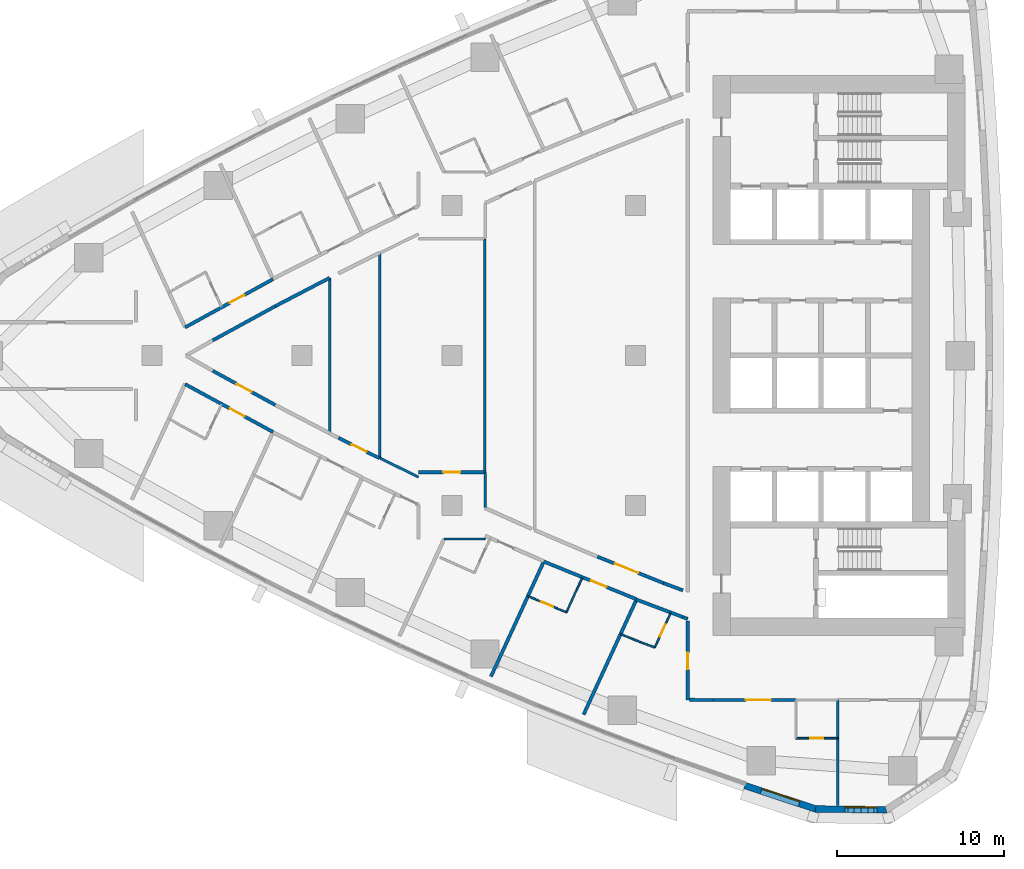
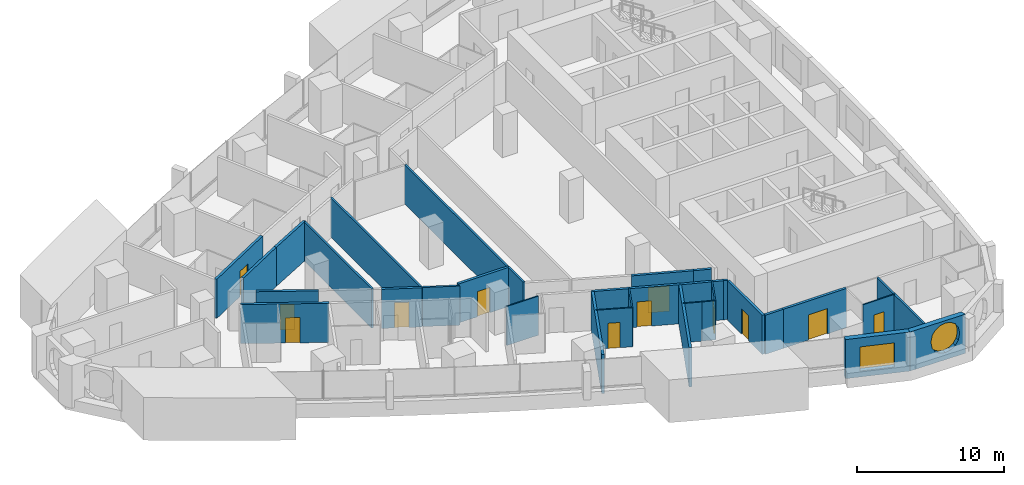
# One storey, part 9 of 17: 32 walls, 12 doors, 2 windows, 14 openings.
"""IFC4 building model written with IfcOpenShell, lengths in metres."""

from ifc_helpers import new_model, si_unit, direction, frame, frame_2d, origin, place, context, subcontext, project, spatial, polyline, rectangle, outline, extrude, material, layer, layer_set, type_object, element, fill, save


model = new_model("IFC4")

# Units and contexts
model_context = context("Model", 3, precision=1e-05, world=origin(), true_north=direction((0.0, 1.0)))
body_context = subcontext(model_context, "Body", "Model", "MODEL_VIEW")
ifc_project = project(units=[si_unit("LENGTHUNIT", "METRE"), si_unit("AREAUNIT", "SQUARE_METRE"), si_unit("VOLUMEUNIT", "CUBIC_METRE"), si_unit("PLANEANGLEUNIT", "RADIAN"), si_unit("MASSUNIT", "GRAM", prefix="KILO")], contexts=[model_context])

# Site, building, storey
site_placement = place(None, origin())
site = spatial("IfcSite", under=ifc_project, at=site_placement, CompositionType="ELEMENT")
building_placement = place(site_placement, origin())
building = spatial("IfcBuilding", under=site, at=building_placement, Name="Ostrand Prow Hotel Tower", CompositionType="ELEMENT")
storey_placement = place(building_placement, frame((0.0, 0.0, 106.199951171875)))
storey = spatial("IfcBuildingStorey", under=building, at=storey_placement, Name="L25", CompositionType="ELEMENT", Elevation=106.199951171875)

# Wall, opening, door
ifc_material_1 = material(Name="Plasterboard partition")
ifc_layer_1 = layer(ifc_material_1, 0.10009765625)
ifc_layer_set_1 = layer_set([ifc_layer_1], Name="Plasterboard partition")
wall_type_1 = type_object("IfcWallType", Name="Partition 100 bathroom wall", PredefinedType="PARTITIONING", material=ifc_layer_set_1)
wall_1_placement = place(storey_placement, frame((57.130615234375, -22.949951171875, 0.0), z_axis=(0.0, 0.0, 1.0), x_axis=(-1.0, 0.0, 0.0)))
wall_1 = element("IfcWall", 1, at=wall_1_placement, inside=storey, type_object=wall_type_1, Name="BATHROOM WALL", PredefinedType="PARTITIONING", context=body_context, shape_type="SweptSolid", body=[
    extrude(rectangle(XDim=2.5, YDim=0.10009765625, at=frame_2d((1.25, 0.0))), origin(), (0.0, 0.0, 1.0), 3.25),
])
opening_1_placement = place(wall_1_placement, frame((0.85009765625, 0.0, 0.0)))
opening_1 = element("IfcOpeningElement", 2, at=opening_1_placement, cuts=wall_1, Name="Opening D2", PredefinedType="OPENING", context=body_context, shape_type="SweptSolid", body=[
    extrude(rectangle(XDim=0.800048828125, YDim=2.10009765625, at=frame_2d((0.39990234375, 1.050048828125))), frame((0.0, 0.06005859375, 0.0), z_axis=(0.0, -1.0, 0.0), x_axis=(1.0, 0.0, 0.0)), (0.0, 0.0, 1.0), 0.1201171875),
])
ifc_material_2 = material(Name="Timber door leaf", Category="wood")
door_type_1 = type_object("IfcDoorType", Name="Bathroom door 800", OperationType="SINGLE_SWING_LEFT", PredefinedType="DOOR", material=ifc_material_2)
door_1_placement = place(opening_1_placement, origin())
door_1 = element("IfcDoor", 3, at=door_1_placement, inside=storey, type_object=door_type_1, Name="DOOR", OperationType="SINGLE_SWING_LEFT", OverallHeight=2.10009765625, OverallWidth=0.800048828125, PredefinedType="DOOR", context=body_context, shape_type="SweptSolid", body=[
    extrude(rectangle(XDim=0.800048828125, YDim=2.10009765625, at=frame_2d((0.39990234375, 1.050048828125))), frame((0.0, 0.02490234375, 0.0), z_axis=(0.0, -1.0, 0.0), x_axis=(1.0, 0.0, 0.0)), (0.0, 0.0, 1.0), 0.050048828125),
])
fill(opening_1, door_1)

# Wall
wall_2_placement = place(storey_placement, frame((41.816162109375, -13.32958984375, 0.0), z_axis=(0.0, 0.0, 1.0), x_axis=(-0.417433204355, -0.908707609686, 0.0)))
element("IfcWall", 4, at=wall_2_placement, inside=storey, type_object=wall_type_1, Name="BATHROOM WALL", PredefinedType="PARTITIONING", context=body_context, shape_type="SweptSolid", body=[
    extrude(rectangle(XDim=2.278076171875, YDim=0.10009765625, at=frame_2d((1.13916015625, 0.0))), origin(), (0.0, 0.0, 1.0), 3.25),
])

# Wall, opening, door
wall_3_placement = place(storey_placement, frame((40.865234375, -15.399658203125, 0.0), z_axis=(0.0, 0.0, 1.0), x_axis=(-0.921042675983, 0.38946166566, 0.0)))
wall_3 = element("IfcWall", 5, at=wall_3_placement, inside=storey, type_object=wall_type_1, Name="BATHROOM WALL", PredefinedType="PARTITIONING", context=body_context, shape_type="SweptSolid", body=[
    extrude(rectangle(XDim=2.501220703125, YDim=0.10009765625, at=frame_2d((1.25048828125, 0.0))), origin(), (0.0, 0.0, 1.0), 3.25),
])
opening_2_placement = place(wall_3_placement, frame((0.85009765625, 0.0, 0.0)))
opening_2 = element("IfcOpeningElement", 6, at=opening_2_placement, cuts=wall_3, Name="Opening D2", PredefinedType="OPENING", context=body_context, shape_type="SweptSolid", body=[
    extrude(rectangle(XDim=0.800048828125, YDim=2.10009765625, at=frame_2d((0.39990234375, 1.050048828125))), frame((0.0, 0.06005859375, 0.0), z_axis=(0.0, -1.0, 0.0), x_axis=(1.0, 0.0, 0.0)), (0.0, 0.0, 1.0), 0.1201171875),
])
door_2_placement = place(opening_2_placement, origin())
door_2 = element("IfcDoor", 7, at=door_2_placement, inside=storey, type_object=door_type_1, Name="DOOR", OperationType="SINGLE_SWING_LEFT", OverallHeight=2.10009765625, OverallWidth=0.800048828125, PredefinedType="DOOR", context=body_context, shape_type="SweptSolid", body=[
    extrude(rectangle(XDim=0.800048828125, YDim=2.10009765625, at=frame_2d((0.39990234375, 1.050048828125))), frame((0.0, 0.02490234375, 0.0), z_axis=(0.0, -1.0, 0.0), x_axis=(1.0, 0.0, 0.0)), (0.0, 0.0, 1.0), 0.050048828125),
])
fill(opening_2, door_2)

wall_4_placement = place(storey_placement, frame((47.1220703125, -15.434326171875, 0.0), z_axis=(0.0, 0.0, 1.0), x_axis=(-0.417409478396, -0.90871850831, 0.0)))
wall_4 = element("IfcWall", 8, at=wall_4_placement, inside=storey, type_object=wall_type_1, Name="BATHROOM WALL", PredefinedType="PARTITIONING", context=body_context, shape_type="SweptSolid", body=[
    extrude(rectangle(XDim=2.282958984375, YDim=0.10009765625, at=frame_2d((1.1416015625, 0.0))), origin(), (0.0, 0.0, 1.0), 3.25),
])
opening_3_placement = place(wall_4_placement, frame((0.75, 0.0, 0.0)))
opening_3 = element("IfcOpeningElement", 9, at=opening_3_placement, cuts=wall_4, Name="Opening D2", PredefinedType="OPENING", context=body_context, shape_type="SweptSolid", body=[
    extrude(rectangle(XDim=0.800048828125, YDim=2.10009765625, at=frame_2d((0.39990234375, 1.050048828125))), frame((0.0, 0.06005859375, 0.0), z_axis=(0.0, -1.0, 0.0), x_axis=(1.0, 0.0, 0.0)), (0.0, 0.0, 1.0), 0.1201171875),
])
door_3_placement = place(opening_3_placement, origin())
door_3 = element("IfcDoor", 10, at=door_3_placement, inside=storey, type_object=door_type_1, Name="DOOR", OperationType="SINGLE_SWING_LEFT", OverallHeight=2.10009765625, OverallWidth=0.800048828125, PredefinedType="DOOR", context=body_context, shape_type="SweptSolid", body=[
    extrude(rectangle(XDim=0.800048828125, YDim=2.10009765625, at=frame_2d((0.39990234375, 1.050048828125))), frame((0.0, 0.02490234375, 0.0), z_axis=(0.0, -1.0, 0.0), x_axis=(1.0, 0.0, 0.0)), (0.0, 0.0, 1.0), 0.050048828125),
])
fill(opening_3, door_3)

# Walls
wall_5_placement = place(storey_placement, frame((46.1689453125, -17.5087890625, 0.0), z_axis=(0.0, 0.0, 1.0), x_axis=(-0.935885332459, 0.352304760808, 0.0)))
element("IfcWall", 11, at=wall_5_placement, inside=storey, type_object=wall_type_1, Name="BATHROOM WALL", PredefinedType="PARTITIONING", context=body_context, shape_type="SweptSolid", body=[
    extrude(rectangle(XDim=0.90576171875, YDim=0.10009765625, at=frame_2d((0.452880859375, 0.0))), origin(), (0.0, 0.0, 1.0), 3.25),
])
wall_6_placement = place(storey_placement, frame((45.3212890625, -17.189697265625, 0.0), z_axis=(0.0, 0.0, 1.0), x_axis=(-0.928593389657, 0.371098796393, 0.0)))
element("IfcWall", 12, at=wall_6_placement, inside=storey, type_object=wall_type_1, Name="BATHROOM WALL", PredefinedType="PARTITIONING", context=body_context, shape_type="SweptSolid", body=[
    extrude(rectangle(XDim=1.298095703125, YDim=0.10009765625, at=frame_2d((0.64892578125, 0.0))), origin(), (0.0, 0.0, 1.0), 3.25),
])
wall_7_placement = place(storey_placement, frame((33.530029296875, -11.0048828125, 0.0), z_axis=(0.0, 0.0, 1.0), x_axis=(1.0, 0.0, 0.0)))
element("IfcWall", 13, at=wall_7_placement, inside=storey, type_object=wall_type_1, Name="BATHROOM WALL", PredefinedType="PARTITIONING", context=body_context, shape_type="SweptSolid", body=[
    extrude(rectangle(XDim=2.470458984375, YDim=0.10009765625, at=frame_2d((1.2353515625, 0.0))), origin(), (0.0, 0.0, 1.0), 3.25),
])
ifc_material_3 = material(Name="Plasterboard partition")
ifc_layer_2 = layer(ifc_material_3, 0.14990234375)
ifc_layer_set_2 = layer_set([ifc_layer_2], Name="Plasterboard partition")
wall_type_2 = type_object("IfcWallType", Name="Partition 150 room partition", PredefinedType="PARTITIONING", material=ifc_layer_set_2)
wall_8_placement = place(storey_placement, frame((57.130615234375, -26.97900390625, 0.0), z_axis=(0.0, 0.0, 1.0), x_axis=(0.0, 1.0, 0.0)))
element("IfcWall", 14, at=wall_8_placement, inside=storey, type_object=wall_type_2, Name="ROOM PARTITION", PredefinedType="PARTITIONING", context=body_context, shape_type="SweptSolid", body=[
    extrude(rectangle(XDim=6.3291015625, YDim=0.14990234375, at=frame_2d((3.16455078125, 0.0))), origin(), (0.0, 0.0, 1.0), 3.25),
])
wall_9_placement = place(storey_placement, frame((26.66650390625, -4.659912109375, 0.0), z_axis=(0.0, 0.0, 1.0), x_axis=(0.0, 1.0, 0.0)))
element("IfcWall", 15, at=wall_9_placement, inside=storey, type_object=wall_type_2, Name="ROOM PARTITION", PredefinedType="PARTITIONING", context=body_context, shape_type="SweptSolid", body=[
    extrude(rectangle(XDim=9.31982421875, YDim=0.14990234375, at=frame_2d((4.659912109375, 0.0))), origin(), (0.0, 0.0, 1.0), 3.25),
])
wall_10_placement = place(storey_placement, frame((29.66650390625, -6.160400390625, 0.0), z_axis=(0.0, 0.0, 1.0), x_axis=(0.0, 1.0, 0.0)))
element("IfcWall", 16, at=wall_10_placement, inside=storey, type_object=wall_type_2, Name="ROOM PARTITION", PredefinedType="PARTITIONING", context=body_context, shape_type="SweptSolid", body=[
    extrude(rectangle(XDim=12.32080078125, YDim=0.14990234375, at=frame_2d((6.160400390625, 0.0))), origin(), (0.0, 0.0, 1.0), 3.25),
])
wall_11_placement = place(storey_placement, frame((35.974609375, -7.0, 0.0), z_axis=(0.0, 0.0, 1.0), x_axis=(0.0, 1.0, 0.0)))
element("IfcWall", 17, at=wall_11_placement, inside=storey, type_object=wall_type_2, Name="ROOM PARTITION", PredefinedType="PARTITIONING", context=body_context, shape_type="SweptSolid", body=[
    extrude(rectangle(XDim=14.0, YDim=0.14990234375, at=frame_2d((7.0, 0.0))), origin(), (0.0, 0.0, 1.0), 3.25),
])
wall_12_placement = place(storey_placement, frame((31.9951171875, -7.284912109375, 0.0), z_axis=(0.0, 0.0, 1.0), x_axis=(-0.89773510237, 0.440535680702, 0.0)))
element("IfcWall", 18, at=wall_12_placement, inside=storey, type_object=wall_type_2, Name="ROOM PARTITION", PredefinedType="PARTITIONING", context=body_context, shape_type="SweptSolid", body=[
    extrude(rectangle(XDim=2.54931640625, YDim=0.14990234375, at=frame_2d((1.274658203125, 0.0))), origin(), (0.0, 0.0, 1.0), 3.25),
])
wall_13_placement = place(storey_placement, frame((36.0048828125, -9.110107421875, 0.0), z_axis=(0.0, 0.0, 1.0), x_axis=(0.0, 1.0, 0.0)))
element("IfcWall", 19, at=wall_13_placement, inside=storey, type_object=wall_type_2, Name="ROOM PARTITION", PredefinedType="PARTITIONING", context=body_context, shape_type="SweptSolid", body=[
    extrude(rectangle(XDim=2.083984375, YDim=0.14990234375, at=frame_2d((1.0419921875, 0.0))), origin(), (0.0, 0.0, 1.0), 3.25),
])

# Wall, opening, door
ifc_material_4 = material(Name="Plasterboard partition")
ifc_layer_3 = layer(ifc_material_4, 0.199951171875)
ifc_layer_set_3 = layer_set([ifc_layer_3], Name="Plasterboard partition")
wall_type_3 = type_object("IfcWallType", Name="Partition 200 corridor wall", PredefinedType="PARTITIONING", material=ifc_layer_set_3)
wall_14_placement = place(storey_placement, frame((18.0, 1.691650390625, 0.0), z_axis=(0.0, 0.0, 1.0), x_axis=(0.876809096721, 0.480838650597, 0.0)))
wall_14 = element("IfcWall", 20, at=wall_14_placement, inside=storey, type_object=wall_type_3, Name="CORRIDOR WALL", PredefinedType="PARTITIONING", context=body_context, shape_type="SweptSolid", body=[
    extrude(rectangle(XDim=6.01513671875, YDim=0.199951171875, at=frame_2d((3.007568359375, 0.0))), origin(), (0.0, 0.0, 1.0), 3.25),
])
opening_4_placement = place(wall_14_placement, frame((3.050048828125, 0.0, 0.0)))
opening_4 = element("IfcOpeningElement", 21, at=opening_4_placement, cuts=wall_14, Name="Opening D1R", PredefinedType="OPENING", context=body_context, shape_type="SweptSolid", body=[
    extrude(rectangle(XDim=1.0, YDim=2.10009765625, at=frame_2d((0.5, 1.050048828125))), frame((0.0, 0.10986328125, 0.0), z_axis=(0.0, -1.0, 0.0), x_axis=(1.0, 0.0, 0.0)), (0.0, 0.0, 1.0), 0.219970703125),
])
ifc_material_5 = material(Name="Timber door leaf", Category="wood")
door_type_2 = type_object("IfcDoorType", Name="Guest room door 1000 right", OperationType="SINGLE_SWING_RIGHT", PredefinedType="DOOR", material=ifc_material_5)
door_4_placement = place(opening_4_placement, origin())
door_4 = element("IfcDoor", 22, at=door_4_placement, inside=storey, type_object=door_type_2, Name="DOOR", OperationType="SINGLE_SWING_RIGHT", OverallHeight=2.10009765625, OverallWidth=1.0, PredefinedType="DOOR", context=body_context, shape_type="SweptSolid", body=[
    extrude(rectangle(XDim=1.0, YDim=2.10009765625, at=frame_2d((0.5, 1.050048828125))), frame((0.0, 0.02490234375, 0.0), z_axis=(0.0, -1.0, 0.0), x_axis=(1.0, 0.0, 0.0)), (0.0, 0.0, 1.0), 0.050048828125),
])
fill(opening_4, door_4)

wall_15_placement = place(storey_placement, frame((18.0, -1.714599609375, 0.0), z_axis=(0.0, 0.0, 1.0), x_axis=(0.878415628048, -0.477897462225, 0.0)))
wall_15 = element("IfcWall", 23, at=wall_15_placement, inside=storey, type_object=wall_type_3, Name="CORRIDOR WALL", PredefinedType="PARTITIONING", context=body_context, shape_type="SweptSolid", body=[
    extrude(rectangle(XDim=6.004150390625, YDim=0.199951171875, at=frame_2d((3.001953125, 0.0))), origin(), (0.0, 0.0, 1.0), 3.25),
])
opening_5_placement = place(wall_15_placement, frame((3.050048828125, 0.0, 0.0)))
opening_5 = element("IfcOpeningElement", 24, at=opening_5_placement, cuts=wall_15, Name="Opening D1", PredefinedType="OPENING", context=body_context, shape_type="SweptSolid", body=[
    extrude(rectangle(XDim=1.0, YDim=2.10009765625, at=frame_2d((0.5, 1.050048828125))), frame((0.0, 0.10986328125, 0.0), z_axis=(0.0, -1.0, 0.0), x_axis=(1.0, 0.0, 0.0)), (0.0, 0.0, 1.0), 0.219970703125),
])
ifc_material_6 = material(Name="Timber door leaf", Category="wood")
door_type_3 = type_object("IfcDoorType", Name="Guest room door 1000", OperationType="SINGLE_SWING_LEFT", PredefinedType="DOOR", material=ifc_material_6)
door_5_placement = place(opening_5_placement, origin())
door_5 = element("IfcDoor", 25, at=door_5_placement, inside=storey, type_object=door_type_3, Name="DOOR", OperationType="SINGLE_SWING_LEFT", OverallHeight=2.10009765625, OverallWidth=1.0, PredefinedType="DOOR", context=body_context, shape_type="SweptSolid", body=[
    extrude(rectangle(XDim=1.0, YDim=2.10009765625, at=frame_2d((0.5, 1.050048828125))), frame((0.0, 0.02490234375, 0.0), z_axis=(0.0, -1.0, 0.0), x_axis=(1.0, 0.0, 0.0)), (0.0, 0.0, 1.0), 0.050048828125),
])
fill(opening_5, door_5)

wall_16_placement = place(storey_placement, frame((39.513916015625, -12.352783203125, 0.0), z_axis=(0.0, 0.0, 1.0), x_axis=(0.926327862679, -0.376718317613, 0.0)))
wall_16 = element("IfcWall", 26, at=wall_16_placement, inside=storey, type_object=wall_type_3, Name="CORRIDOR WALL", PredefinedType="PARTITIONING", context=body_context, shape_type="SweptSolid", body=[
    extrude(rectangle(XDim=6.005615234375, YDim=0.199951171875, at=frame_2d((3.0029296875, 0.0))), origin(), (0.0, 0.0, 1.0), 3.25),
])
opening_6_placement = place(wall_16_placement, frame((3.050048828125, 0.0, 0.0)))
opening_6 = element("IfcOpeningElement", 27, at=opening_6_placement, cuts=wall_16, Name="Opening D1", PredefinedType="OPENING", context=body_context, shape_type="SweptSolid", body=[
    extrude(rectangle(XDim=1.0, YDim=2.10009765625, at=frame_2d((0.5, 1.050048828125))), frame((0.0, 0.10986328125, 0.0), z_axis=(0.0, -1.0, 0.0), x_axis=(1.0, 0.0, 0.0)), (0.0, 0.0, 1.0), 0.219970703125),
])
door_6_placement = place(opening_6_placement, origin())
door_6 = element("IfcDoor", 28, at=door_6_placement, inside=storey, type_object=door_type_3, Name="DOOR", OperationType="SINGLE_SWING_LEFT", OverallHeight=2.10009765625, OverallWidth=1.0, PredefinedType="DOOR", context=body_context, shape_type="SweptSolid", body=[
    extrude(rectangle(XDim=1.0, YDim=2.10009765625, at=frame_2d((0.5, 1.050048828125))), frame((0.0, 0.02490234375, 0.0), z_axis=(0.0, -1.0, 0.0), x_axis=(1.0, 0.0, 0.0)), (0.0, 0.0, 1.0), 0.050048828125),
])
fill(opening_6, door_6)

wall_17_placement = place(storey_placement, frame((23.40673828125, -2.9619140625, 0.0), z_axis=(0.0, 0.0, 1.0), x_axis=(-0.877465075585, 0.479640533242, 0.0)))
wall_17 = element("IfcWall", 29, at=wall_17_placement, inside=storey, type_object=wall_type_3, Name="CORRIDOR WALL", PredefinedType="PARTITIONING", context=body_context, shape_type="SweptSolid", body=[
    extrude(rectangle(XDim=4.273193359375, YDim=0.199951171875, at=frame_2d((2.13671875, 0.0))), origin(), (0.0, 0.0, 1.0), 3.25),
])
opening_7_placement = place(wall_17_placement, frame((1.636474609375, 0.0, 0.0)))
opening_7 = element("IfcOpeningElement", 30, at=opening_7_placement, cuts=wall_17, Name="Opening D1", PredefinedType="OPENING", context=body_context, shape_type="SweptSolid", body=[
    extrude(rectangle(XDim=1.0, YDim=2.10009765625, at=frame_2d((0.5, 1.050048828125))), frame((0.0, 0.10986328125, 0.0), z_axis=(0.0, -1.0, 0.0), x_axis=(1.0, 0.0, 0.0)), (0.0, 0.0, 1.0), 0.219970703125),
])
door_7_placement = place(opening_7_placement, origin())
door_7 = element("IfcDoor", 31, at=door_7_placement, inside=storey, type_object=door_type_3, Name="DOOR", OperationType="SINGLE_SWING_LEFT", OverallHeight=2.10009765625, OverallWidth=1.0, PredefinedType="DOOR", context=body_context, shape_type="SweptSolid", body=[
    extrude(rectangle(XDim=1.0, YDim=2.10009765625, at=frame_2d((0.5, 1.050048828125))), frame((0.0, 0.02490234375, 0.0), z_axis=(0.0, -1.0, 0.0), x_axis=(1.0, 0.0, 0.0)), (0.0, 0.0, 1.0), 0.050048828125),
])
fill(opening_7, door_7)

# Walls
wall_18_placement = place(storey_placement, frame((19.6572265625, 0.912353515625, 0.0), z_axis=(0.0, 0.0, 1.0), x_axis=(0.877465075585, 0.479640533242, 0.0)))
element("IfcWall", 32, at=wall_18_placement, inside=storey, type_object=wall_type_3, Name="CORRIDOR WALL", PredefinedType="PARTITIONING", context=body_context, shape_type="SweptSolid", body=[
    extrude(rectangle(XDim=4.273193359375, YDim=0.199951171875, at=frame_2d((2.13671875, 0.0))), origin(), (0.0, 0.0, 1.0), 3.25),
])
wall_19_placement = place(storey_placement, frame((23.40673828125, 2.9619140625, 0.0), z_axis=(0.0, 0.0, 1.0), x_axis=(0.886891405098, 0.46197796004, 0.0)))
element("IfcWall", 33, at=wall_19_placement, inside=storey, type_object=wall_type_3, Name="CORRIDOR WALL", PredefinedType="PARTITIONING", context=body_context, shape_type="SweptSolid", body=[
    extrude(rectangle(XDim=3.675537109375, YDim=0.199951171875, at=frame_2d((1.837890625, 0.0))), origin(), (0.0, 0.0, 1.0), 3.25),
])

# Wall, opening, door
wall_20_placement = place(storey_placement, frame((29.66650390625, -6.160400390625, 0.0), z_axis=(0.0, 0.0, 1.0), x_axis=(-0.895945057464, 0.444164895062, 0.0)))
wall_20 = element("IfcWall", 34, at=wall_20_placement, inside=storey, type_object=wall_type_3, Name="CORRIDOR WALL", PredefinedType="PARTITIONING", context=body_context, shape_type="SweptSolid", body=[
    extrude(rectangle(XDim=2.757080078125, YDim=0.199951171875, at=frame_2d((1.37841796875, 0.0))), origin(), (0.0, 0.0, 1.0), 3.25),
])
opening_8_placement = place(wall_20_placement, frame((0.87841796875, 0.0, 0.0)))
opening_8 = element("IfcOpeningElement", 35, at=opening_8_placement, cuts=wall_20, Name="Opening D1R", PredefinedType="OPENING", context=body_context, shape_type="SweptSolid", body=[
    extrude(rectangle(XDim=1.0, YDim=2.10009765625, at=frame_2d((0.5, 1.050048828125))), frame((0.0, 0.10986328125, 0.0), z_axis=(0.0, -1.0, 0.0), x_axis=(1.0, 0.0, 0.0)), (0.0, 0.0, 1.0), 0.219970703125),
])
door_8_placement = place(opening_8_placement, origin())
door_8 = element("IfcDoor", 36, at=door_8_placement, inside=storey, type_object=door_type_2, Name="DOOR", OperationType="SINGLE_SWING_RIGHT", OverallHeight=2.10009765625, OverallWidth=1.0, PredefinedType="DOOR", context=body_context, shape_type="SweptSolid", body=[
    extrude(rectangle(XDim=1.0, YDim=2.10009765625, at=frame_2d((0.5, 1.050048828125))), frame((0.0, 0.02490234375, 0.0), z_axis=(0.0, -1.0, 0.0), x_axis=(1.0, 0.0, 0.0)), (0.0, 0.0, 1.0), 0.050048828125),
])
fill(opening_8, door_8)

wall_21_placement = place(storey_placement, frame((46.69580078125, -13.646728515625, 0.0), z_axis=(0.0, 0.0, 1.0), x_axis=(-0.928638161177, 0.370986745864, 0.0)))
wall_21 = element("IfcWall", 37, at=wall_21_placement, inside=storey, type_object=wall_type_3, Name="CORRIDOR WALL", PredefinedType="PARTITIONING", context=body_context, shape_type="SweptSolid", body=[
    extrude(rectangle(XDim=4.27294921875, YDim=0.199951171875, at=frame_2d((2.136474609375, 0.0))), origin(), (0.0, 0.0, 1.0), 3.25),
])
opening_9_placement = place(wall_21_placement, frame((1.636474609375, 0.0, 0.0)))
opening_9 = element("IfcOpeningElement", 38, at=opening_9_placement, cuts=wall_21, Name="Opening D15", PredefinedType="OPENING", context=body_context, shape_type="SweptSolid", body=[
    extrude(rectangle(XDim=1.5, YDim=2.10009765625, at=frame_2d((0.75, 1.050048828125))), frame((0.0, 0.10986328125, 0.0), z_axis=(0.0, -1.0, 0.0), x_axis=(1.0, 0.0, 0.0)), (0.0, 0.0, 1.0), 0.219970703125),
])
ifc_material_7 = material(Name="Timber door leaf", Category="wood")
door_type_4 = type_object("IfcDoorType", Name="Double door 1500", OperationType="DOUBLE_DOOR_SINGLE_SWING", PredefinedType="DOOR", material=ifc_material_7)
door_9_placement = place(opening_9_placement, origin())
door_9 = element("IfcDoor", 39, at=door_9_placement, inside=storey, type_object=door_type_4, Name="DOOR", OperationType="DOUBLE_DOOR_SINGLE_SWING", OverallHeight=2.10009765625, OverallWidth=1.5, PredefinedType="DOOR", context=body_context, shape_type="SweptSolid", body=[
    extrude(rectangle(XDim=1.5, YDim=2.10009765625, at=frame_2d((0.75, 1.050048828125))), frame((0.0, 0.02490234375, 0.0), z_axis=(0.0, -1.0, 0.0), x_axis=(1.0, 0.0, 0.0)), (0.0, 0.0, 1.0), 0.050048828125),
])
fill(opening_9, door_9)

wall_22_placement = place(storey_placement, frame((49.64990234375, -20.655029296875, 0.0), z_axis=(0.0, 0.0, 1.0), x_axis=(1.0, 0.0, 0.0)))
wall_22 = element("IfcWall", 40, at=wall_22_placement, inside=storey, type_object=wall_type_3, Name="CORRIDOR WALL", PredefinedType="PARTITIONING", context=body_context, shape_type="SweptSolid", body=[
    extrude(rectangle(XDim=4.9755859375, YDim=0.199951171875, at=frame_2d((2.48779296875, 0.0))), origin(), (0.0, 0.0, 1.0), 3.25),
])
opening_10_placement = place(wall_22_placement, frame((1.98779296875, 0.0, 0.0)))
opening_10 = element("IfcOpeningElement", 41, at=opening_10_placement, cuts=wall_22, Name="Opening D15", PredefinedType="OPENING", context=body_context, shape_type="SweptSolid", body=[
    extrude(rectangle(XDim=1.5, YDim=2.10009765625, at=frame_2d((0.75, 1.050048828125))), frame((0.0, 0.10986328125, 0.0), z_axis=(0.0, -1.0, 0.0), x_axis=(1.0, 0.0, 0.0)), (0.0, 0.0, 1.0), 0.219970703125),
])
door_10_placement = place(opening_10_placement, origin())
door_10 = element("IfcDoor", 42, at=door_10_placement, inside=storey, type_object=door_type_4, Name="DOOR", OperationType="DOUBLE_DOOR_SINGLE_SWING", OverallHeight=2.10009765625, OverallWidth=1.5, PredefinedType="DOOR", context=body_context, shape_type="SweptSolid", body=[
    extrude(rectangle(XDim=1.5, YDim=2.10009765625, at=frame_2d((0.75, 1.050048828125))), frame((0.0, 0.02490234375, 0.0), z_axis=(0.0, -1.0, 0.0), x_axis=(1.0, 0.0, 0.0)), (0.0, 0.0, 1.0), 0.050048828125),
])
fill(opening_10, door_10)

wall_23_placement = place(storey_placement, frame((35.974609375, -6.9951171875, 0.0), z_axis=(0.0, 0.0, 1.0), x_axis=(-1.0, 0.0, 0.0)))
wall_23 = element("IfcWall", 43, at=wall_23_placement, inside=storey, type_object=wall_type_3, Name="CORRIDOR WALL", PredefinedType="PARTITIONING", context=body_context, shape_type="SweptSolid", body=[
    extrude(rectangle(XDim=3.97509765625, YDim=0.199951171875, at=frame_2d((1.987548828125, 0.0))), origin(), (0.0, 0.0, 1.0), 3.25),
])
opening_11_placement = place(wall_23_placement, frame((1.487548828125, 0.0, 0.0)))
opening_11 = element("IfcOpeningElement", 44, at=opening_11_placement, cuts=wall_23, Name="Opening D1", PredefinedType="OPENING", context=body_context, shape_type="SweptSolid", body=[
    extrude(rectangle(XDim=1.0, YDim=2.10009765625, at=frame_2d((0.5, 1.050048828125))), frame((0.0, 0.10986328125, 0.0), z_axis=(0.0, -1.0, 0.0), x_axis=(1.0, 0.0, 0.0)), (0.0, 0.0, 1.0), 0.219970703125),
])
door_11_placement = place(opening_11_placement, origin())
door_11 = element("IfcDoor", 45, at=door_11_placement, inside=storey, type_object=door_type_3, Name="DOOR", OperationType="SINGLE_SWING_LEFT", OverallHeight=2.10009765625, OverallWidth=1.0, PredefinedType="DOOR", context=body_context, shape_type="SweptSolid", body=[
    extrude(rectangle(XDim=1.0, YDim=2.10009765625, at=frame_2d((0.5, 1.050048828125))), frame((0.0, 0.02490234375, 0.0), z_axis=(0.0, -1.0, 0.0), x_axis=(1.0, 0.0, 0.0)), (0.0, 0.0, 1.0), 0.050048828125),
])
fill(opening_11, door_11)

# Walls
wall_24_placement = place(storey_placement, frame((45.06884765625, -14.633544921875, 0.0), z_axis=(0.0, 0.0, 1.0), x_axis=(0.93564003724, -0.352955692282, 0.0)))
element("IfcWall", 46, at=wall_24_placement, inside=storey, type_object=wall_type_3, Name="CORRIDOR WALL", PredefinedType="PARTITIONING", context=body_context, shape_type="SweptSolid", body=[
    extrude(rectangle(XDim=2.977783203125, YDim=0.199951171875, at=frame_2d((1.48876953125, 0.0))), origin(), (0.0, 0.0, 1.0), 3.25),
])
wall_25_placement = place(storey_placement, frame((47.85498046875, -14.0830078125, 0.0), z_axis=(0.0, 0.0, 1.0), x_axis=(-0.935907269358, 0.352246480696, 0.0)))
element("IfcWall", 47, at=wall_25_placement, inside=storey, type_object=wall_type_3, Name="CORRIDOR WALL", PredefinedType="PARTITIONING", context=body_context, shape_type="SweptSolid", body=[
    extrude(rectangle(XDim=1.238525390625, YDim=0.199951171875, at=frame_2d((0.619140625, 0.0))), origin(), (0.0, 0.0, 1.0), 3.25),
])
wall_26_placement = place(storey_placement, frame((47.85498046875, -15.6845703125, 0.0), z_axis=(0.0, 0.0, 1.0), x_axis=(0.928638194287, -0.370986662983, 0.0)))
element("IfcWall", 48, at=wall_26_placement, inside=storey, type_object=wall_type_3, Name="CORRIDOR WALL", PredefinedType="PARTITIONING", context=body_context, shape_type="SweptSolid", body=[
    extrude(rectangle(XDim=0.3125, YDim=0.199951171875, at=frame_2d((0.15625, 0.0))), origin(), (0.0, 0.0, 1.0), 3.25),
])

# Wall, opening, door
wall_27_placement = place(storey_placement, frame((48.145263671875, -15.92041015625, 0.0), z_axis=(0.0, 0.0, 1.0), x_axis=(-5.1610239e-05, -0.999999998668, 0.0)))
wall_27 = element("IfcWall", 49, at=wall_27_placement, inside=storey, type_object=wall_type_3, Name="CORRIDOR WALL", PredefinedType="PARTITIONING", context=body_context, shape_type="SweptSolid", body=[
    extrude(rectangle(XDim=4.73046875, YDim=0.199951171875, at=frame_2d((2.365234375, 0.0))), origin(), (0.0, 0.0, 1.0), 3.25),
])
opening_12_placement = place(wall_27_placement, frame((1.89990234375, 0.0, 0.0)))
opening_12 = element("IfcOpeningElement", 50, at=opening_12_placement, cuts=wall_27, Name="Opening D1", PredefinedType="OPENING", context=body_context, shape_type="SweptSolid", body=[
    extrude(rectangle(XDim=1.0, YDim=2.10009765625, at=frame_2d((0.5, 1.050048828125))), frame((0.0, 0.10986328125, 0.0), z_axis=(0.0, -1.0, 0.0), x_axis=(1.0, 0.0, 0.0)), (0.0, 0.0, 1.0), 0.219970703125),
])
door_12_placement = place(opening_12_placement, origin())
door_12 = element("IfcDoor", 51, at=door_12_placement, inside=storey, type_object=door_type_3, Name="DOOR", OperationType="SINGLE_SWING_LEFT", OverallHeight=2.10009765625, OverallWidth=1.0, PredefinedType="DOOR", context=body_context, shape_type="SweptSolid", body=[
    extrude(rectangle(XDim=1.0, YDim=2.10009765625, at=frame_2d((0.5, 1.050048828125))), frame((0.0, 0.02490234375, 0.0), z_axis=(0.0, -1.0, 0.0), x_axis=(1.0, 0.0, 0.0)), (0.0, 0.0, 1.0), 0.050048828125),
])
fill(opening_12, door_12)

# Walls
wall_28_placement = place(storey_placement, frame((48.26513671875, -20.6513671875, 0.0), z_axis=(0.0, 0.0, 1.0), x_axis=(0.999996503144, -0.002644560569, 0.0)))
element("IfcWall", 52, at=wall_28_placement, inside=storey, type_object=wall_type_3, Name="CORRIDOR WALL", PredefinedType="PARTITIONING", context=body_context, shape_type="SweptSolid", body=[
    extrude(rectangle(XDim=1.384765625, YDim=0.199951171875, at=frame_2d((0.6923828125, 0.0))), origin(), (0.0, 0.0, 1.0), 3.25),
])
ifc_material_8 = material(Name="Plasterboard partition")
ifc_layer_4 = layer(ifc_material_8, 0.199951171875)
ifc_layer_set_4 = layer_set([ifc_layer_4], Name="Plasterboard partition")
wall_type_4 = type_object("IfcWallType", Name="Partition 200 key partition", PredefinedType="PARTITIONING", material=ifc_layer_set_4)
wall_29_placement = place(storey_placement, frame((36.34814453125, -19.243896484375, 0.0), z_axis=(0.0, 0.0, 1.0), x_axis=(0.417442847913, 0.908703179661, 0.0)))
element("IfcWall", 53, at=wall_29_placement, inside=storey, type_object=wall_type_4, Name="KEY PARTITION", PredefinedType="PARTITIONING", context=body_context, shape_type="SweptSolid", body=[
    extrude(rectangle(XDim=7.603515625, YDim=0.199951171875, at=frame_2d((3.8017578125, 0.0))), origin(), (0.0, 0.0, 1.0), 3.25),
])
wall_30_placement = place(storey_placement, frame((41.900634765625, -21.5302734375, 0.0), z_axis=(0.0, 0.0, 1.0), x_axis=(0.417427858403, 0.908710065438, 0.0)))
element("IfcWall", 54, at=wall_30_placement, inside=storey, type_object=wall_type_4, Name="KEY PARTITION", PredefinedType="PARTITIONING", context=body_context, shape_type="SweptSolid", body=[
    extrude(rectangle(XDim=7.609619140625, YDim=0.199951171875, at=frame_2d((3.8046875, 0.0))), origin(), (0.0, 0.0, 1.0), 3.25),
])

# Wall, opening, window
ifc_material_9 = material(Name="Precast concrete C40/50", Category="concrete")
ifc_layer_5 = layer(ifc_material_9, 0.39990234375)
ifc_layer_set_5 = layer_set([ifc_layer_5], Name="Precast concrete C40/50")
wall_type_5 = type_object("IfcWallType", Name="Stone-faced precast wall 400 mm", PredefinedType="NOTDEFINED", material=ifc_layer_set_5)
wall_31_placement = place(storey_placement, frame((51.56884765625, -25.786865234375, 0.0), z_axis=(0.0, 0.0, 1.0), x_axis=(0.94925004851, -0.314522408429, 0.0)))
wall_31 = element("IfcWall", 55, at=wall_31_placement, inside=storey, type_object=wall_type_5, Name="Stone-faced wall back 1", PredefinedType="NOTDEFINED", context=body_context, shape_type="SweptSolid", body=[
    extrude(outline(polyline([(0.0, -0.199951171875), (4.4990234375, -0.199951171875), (4.43701171875, 0.199951171875), (0.0, 0.199951171875), (0.0, -0.199951171875)])), origin(), (0.0, 0.0, 1.0), 3.25),
])
opening_13_placement = place(wall_31_placement, frame((1.033935546875, 0.0, 0.5)))
opening_13 = element("IfcOpeningElement", 56, at=opening_13_placement, cuts=wall_31, Name="Opening WA1", PredefinedType="OPENING", context=body_context, shape_type="SweptSolid", body=[
    extrude(rectangle(XDim=2.39990234375, YDim=2.0, at=frame_2d((1.199951171875, 1.0))), frame((0.0, 0.2099609375, 0.0), z_axis=(0.0, -1.0, 0.0), x_axis=(1.0, 0.0, 0.0)), (0.0, 0.0, 1.0), 0.419921875),
])
ifc_material_10 = material(Name="Insulated glass in bronze frame", Category="glass")
window_type_1 = type_object("IfcWindowType", Name="Amenity picture window 2400x2000", PartitioningType="SINGLE_PANEL", PredefinedType="WINDOW", material=ifc_material_10)
window_1_placement = place(opening_13_placement, origin())
window_1 = element("IfcWindow", 57, at=window_1_placement, inside=storey, type_object=window_type_1, Name="Window back 1.1", OverallHeight=2.0, OverallWidth=2.39990234375, PartitioningType="SINGLE_PANEL", PredefinedType="WINDOW", context=body_context, shape_type="SweptSolid", body=[
    extrude(rectangle(XDim=2.39990234375, YDim=2.0, at=frame_2d((1.199951171875, 1.0))), frame((0.0, 0.169921875, 0.0), z_axis=(0.0, -1.0, 0.0), x_axis=(1.0, 0.0, 0.0)), (0.0, 0.0, 1.0), 0.06005859375),
])
fill(opening_13, window_1)

wall_32_placement = place(storey_placement, frame((55.81005859375, -27.192138671875, 0.0), z_axis=(0.0, 0.0, 1.0), x_axis=(0.999919718849, -0.012671063772, 0.0)))
wall_32 = element("IfcWall", 58, at=wall_32_placement, inside=storey, type_object=wall_type_5, Name="Stone-faced wall back 2", PredefinedType="NOTDEFINED", context=body_context, shape_type="SweptSolid", body=[
    extrude(outline(polyline([(-0.031005859375, -0.199951171875), (4.300048828125, -0.199951171875), (4.177490234375, 0.199951171875), (0.031005859375, 0.199951171875), (-0.031005859375, -0.199951171875)])), origin(), (0.0, 0.0, 1.0), 3.25),
])
opening_14_placement = place(wall_32_placement, frame((1.620849609375, 0.0, 0.60009765625)))
opening_14 = element("IfcOpeningElement", 59, at=opening_14_placement, cuts=wall_32, Name="Opening WP2", PredefinedType="OPENING", context=body_context, shape_type="SweptSolid", body=[
    extrude(outline(polyline([(0.0, 1.35009765625), (0.083740234375, 1.77099609375), (0.322265625, 2.127685546875), (0.678955078125, 2.3662109375), (1.10009765625, 2.449951171875), (1.52099609375, 2.3662109375), (1.877685546875, 2.127685546875), (2.1162109375, 1.77099609375), (2.199951171875, 1.35009765625), (2.199951171875, 1.10009765625), (2.1162109375, 0.678955078125), (1.877685546875, 0.322265625), (1.52099609375, 0.083740234375), (1.10009765625, 0.0), (0.678955078125, 0.083740234375), (0.322265625, 0.322265625), (0.083740234375, 0.678955078125), (0.0, 1.099853515625), (0.0, 1.35009765625)])), frame((0.0, 0.2099609375, 0.0), z_axis=(0.0, -1.0, 0.0), x_axis=(1.0, 0.0, 0.0)), (0.0, 0.0, 1.0), 0.419921875),
])
ifc_material_11 = material(Name="Insulated glass in bronze frame", Category="glass")
window_type_2 = type_object("IfcWindowType", Name="Round-ended prow lounge window 2200x2450", PartitioningType="SINGLE_PANEL", PredefinedType="WINDOW", material=ifc_material_11)
window_2_placement = place(opening_14_placement, origin())
window_2 = element("IfcWindow", 60, at=window_2_placement, inside=storey, type_object=window_type_2, Name="Window back 2.1", OverallHeight=2.449951171875, OverallWidth=2.199951171875, PartitioningType="SINGLE_PANEL", PredefinedType="WINDOW", context=body_context, shape_type="SweptSolid", body=[
    extrude(outline(polyline([(0.0, 1.35009765625), (0.083740234375, 1.77099609375), (0.322265625, 2.127685546875), (0.678955078125, 2.3662109375), (1.10009765625, 2.449951171875), (1.52099609375, 2.3662109375), (1.877685546875, 2.127685546875), (2.1162109375, 1.77099609375), (2.199951171875, 1.35009765625), (2.199951171875, 1.10009765625), (2.1162109375, 0.678955078125), (1.877685546875, 0.322265625), (1.52099609375, 0.083740234375), (1.10009765625, 0.0), (0.678955078125, 0.083740234375), (0.322265625, 0.322265625), (0.083740234375, 0.678955078125), (0.0, 1.099853515625), (0.0, 1.35009765625)])), frame((0.0, 0.169921875, 0.0), z_axis=(0.0, -1.0, 0.0), x_axis=(1.0, 0.0, 0.0)), (0.0, 0.0, 1.0), 0.06005859375),
])
fill(opening_14, window_2)

save(model, "model.ifc")
